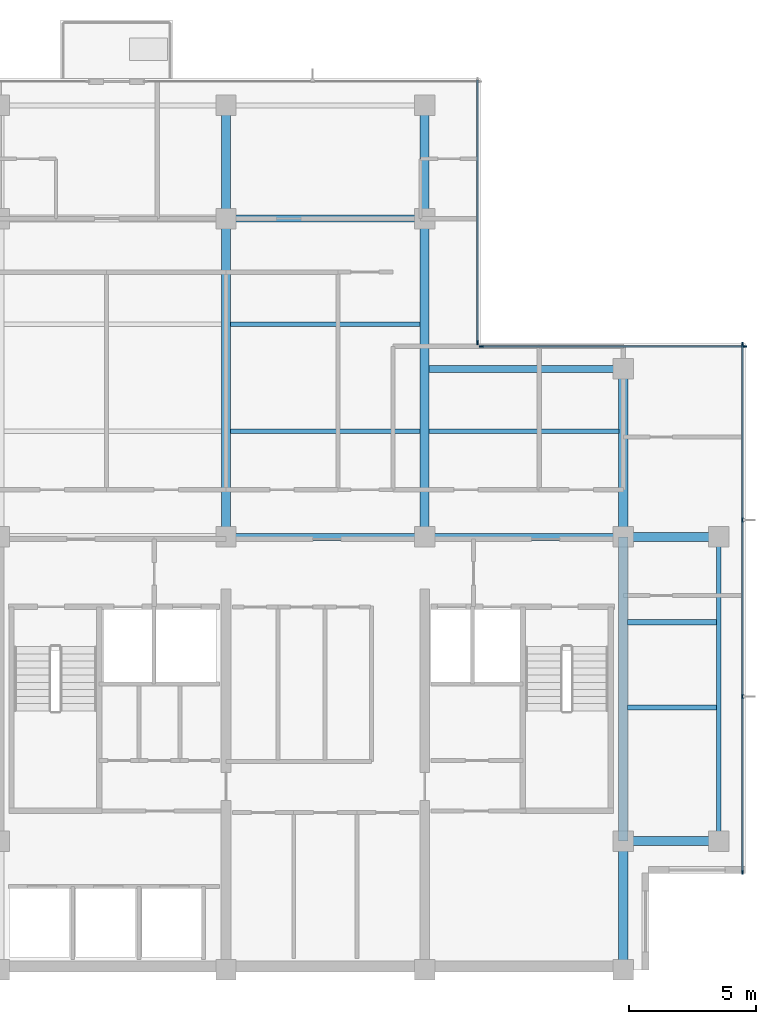
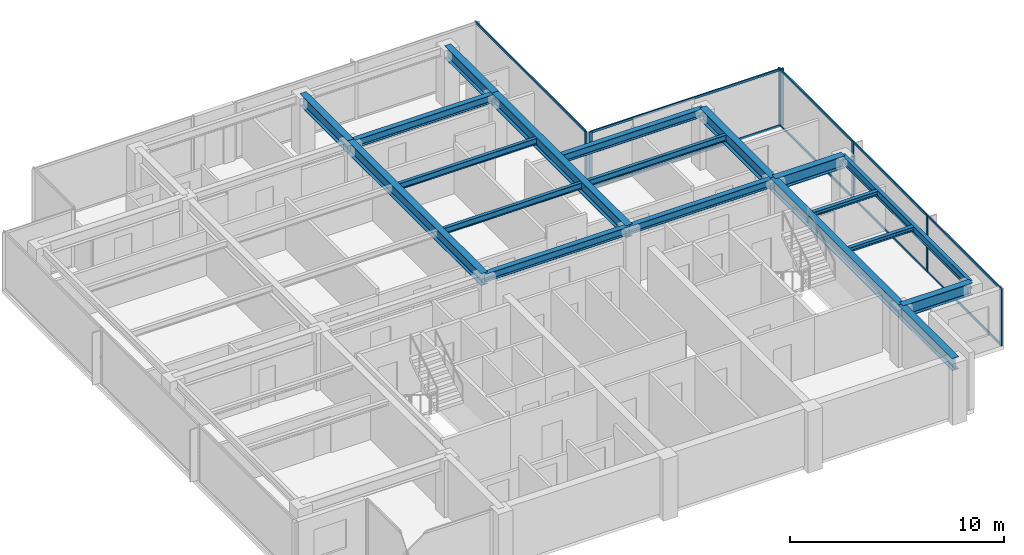
# One storey, part 3 of 11: 19 beams, 17 members, 3 elements without a shape of their own.
"""IFC4 building model written with IfcOpenShell, lengths in metres."""

from ifc_helpers import new_model, si_unit, direction, frame, origin, origin_2d, place, context, subcontext, project, spatial, rectangle, i_section, extrude, material, layer, layer_set, material_profile, profile_set, type_object, element, aggregate, save


model = new_model("IFC4")

# Units and contexts
model_context = context("Model", 3, precision=1e-05, world=origin(), true_north=direction((0.0, 1.0)))
body_context = subcontext(model_context, "Body", "Model", "MODEL_VIEW")
ifc_project = project(units=[si_unit("LENGTHUNIT", "METRE"), si_unit("AREAUNIT", "SQUARE_METRE"), si_unit("VOLUMEUNIT", "CUBIC_METRE"), si_unit("PLANEANGLEUNIT", "RADIAN"), si_unit("MASSUNIT", "GRAM", prefix="KILO")], contexts=[model_context])

# Site, building, storey
site_placement = place(None, origin())
site = spatial("IfcSite", under=ifc_project, at=site_placement, CompositionType="ELEMENT")
building_placement = place(site_placement, origin())
building = spatial("IfcBuilding", under=site, at=building_placement, Name="Qalmaran Belvedere Hotel", CompositionType="ELEMENT")
storey_placement = place(building_placement, frame((0.0, 0.0, 256.39990234375)))
storey = spatial("IfcBuildingStorey", under=building, at=storey_placement, Name="L66", CompositionType="ELEMENT", Elevation=256.39990234375)

# Beams
ifc_material_1 = material(Name="Steel S355JR", Category="steel")
ifc_material_profile_1 = material_profile(ifc_material_1, i_section(OverallWidth=0.201904296875, OverallDepth=0.2470703125, WebThickness=0.00732421875, FlangeThickness=0.010986328125, FilletRadius=0.011962890625, at=origin_2d()), Name="W250X49")
ifc_profile_set_1 = profile_set([ifc_material_profile_1], Name="Steel S355JR")
beam_type_1 = type_object("IfcBeamType", Name="BM-JST-W250X49", PredefinedType="JOIST", material=ifc_profile_set_1)
for number, where, z_axis, x_axis, name in (
    (1, (44.9755859375, 13.800048828125, 3.13671875), (1.0, 0.0, 0.0), (0.0, 1.0, 0.0), "L66 East Wing Joist 032"),
    (2, (44.9755859375, 17.14990234375, 3.13671875), (1.0, 0.0, 0.0), (0.0, 1.0, 0.0), "L66 East Wing Joist 034"),
):
    element("IfcBeam", number, at=place(storey_placement, frame(where, z_axis=z_axis, x_axis=x_axis)), inside=storey, type_object=beam_type_1, Name=name, PredefinedType="JOIST", context=body_context, shape_type="SweptSolid", body=[
        extrude(i_section(OverallWidth=0.201904296875, OverallDepth=0.2470703125, WebThickness=0.00732421875, FlangeThickness=0.010986328125, FilletRadius=0.011962890625, at=origin_2d()), origin(), (0.0, 0.0, 1.0), 3.48046875),
    ])
ifc_material_profile_2 = material_profile(ifc_material_1, i_section(OverallWidth=0.172119140625, OverallDepth=0.35791015625, WebThickness=0.0078125, FlangeThickness=0.01318359375, FilletRadius=0.014892578125, at=origin_2d()), Name="W360X57")
ifc_profile_set_2 = profile_set([ifc_material_profile_2], Name="Steel S355JR")
beam_type_2 = type_object("IfcBeamType", Name="BM-SB4-W360X57", PredefinedType="BEAM", material=ifc_profile_set_2)
for number, where, z_axis, x_axis, name in (
    (3, (29.37548828125, 24.64990234375, 3.0810546875), (1.0, 0.0, 0.0), (0.0, 1.0, 0.0), "L66 Secondary Floor Beam 026"),
    (4, (37.175537109375, 24.64990234375, 3.0810546875), (1.0, 0.0, 0.0), (0.0, 1.0, 0.0), "L66 Secondary Floor Beam 027"),
    (5, (29.37548828125, 28.85009765625, 3.0810546875), (1.0, 0.0, 0.0), (0.0, 1.0, 0.0), "L66 Secondary Floor Beam 030"),
):
    element("IfcBeam", number, at=place(storey_placement, frame(where, z_axis=z_axis, x_axis=x_axis)), inside=storey, type_object=beam_type_2, Name=name, PredefinedType="BEAM", context=body_context, shape_type="SweptSolid", body=[
        extrude(i_section(OverallWidth=0.172119140625, OverallDepth=0.35791015625, WebThickness=0.0078125, FlangeThickness=0.01318359375, FilletRadius=0.014892578125, at=origin_2d()), origin(), (0.0, 0.0, 1.0), 7.448974609375),
    ])
ifc_material_profile_3 = material_profile(ifc_material_1, i_section(OverallWidth=0.19189453125, OverallDepth=0.462890625, WebThickness=0.010498046875, FlangeThickness=0.017578125, FilletRadius=0.01611328125, at=origin_2d()), Name="W460X89")
ifc_profile_set_3 = profile_set([ifc_material_profile_3], Name="Steel S355JR")
beam_type_3 = type_object("IfcBeamType", Name="BM-SP2-W460X89", PredefinedType="SPANDREL", material=ifc_profile_set_3)
beam_1_placement = place(storey_placement, frame((48.550048828125, 8.550048828125, 3.028564453125), z_axis=(0.0, 1.0, 0.0), x_axis=(-1.0, 0.0, 0.0)))
element("IfcBeam", 6, at=beam_1_placement, inside=storey, type_object=beam_type_3, Name="L66 Perimeter Spandrel 03", PredefinedType="SPANDREL", context=body_context, shape_type="SweptSolid", body=[
    extrude(i_section(OverallWidth=0.19189453125, OverallDepth=0.462890625, WebThickness=0.010498046875, FlangeThickness=0.017578125, FilletRadius=0.01611328125, at=origin_2d()), origin(), (0.0, 0.0, 1.0), 11.949951171875),
])
ifc_material_profile_4 = material_profile(ifc_material_1, i_section(OverallWidth=0.35498046875, OverallDepth=0.695068359375, WebThickness=0.015380859375, FlangeThickness=0.02490234375, FilletRadius=0.02197265625, at=origin_2d()), Name="W690X217")
ifc_profile_set_4 = profile_set([ifc_material_profile_4], Name="Steel S355JR")
beam_type_4 = type_object("IfcBeamType", Name="BM-Z1-W690X217", PredefinedType="USERDEFINED", material=ifc_profile_set_4)
beam_2_placement = place(storey_placement, frame((29.199951171875, 20.5, 2.91259765625), z_axis=(0.0, 1.0, 0.0), x_axis=(-1.0, 0.0, 0.0)))
element("IfcBeam", 7, at=beam_2_placement, inside=storey, type_object=beam_type_4, Name="L66 Mid-Plate N-S Girder 13", ObjectType="GIRDER", PredefinedType="USERDEFINED", context=body_context, shape_type="SweptSolid", body=[
    extrude(i_section(OverallWidth=0.35498046875, OverallDepth=0.695068359375, WebThickness=0.015380859375, FlangeThickness=0.02490234375, FilletRadius=0.02197265625, at=origin_2d()), origin(), (0.0, 0.0, 1.0), 12.5),
])
beam_3_placement = place(storey_placement, frame((29.199951171875, 33.0, 2.91259765625), z_axis=(0.0, 1.0, 0.0), x_axis=(-1.0, 0.0, 0.0)))
element("IfcBeam", 8, at=beam_3_placement, inside=storey, type_object=beam_type_4, Name="L66 North Bay Girder 14", ObjectType="GIRDER", PredefinedType="USERDEFINED", context=body_context, shape_type="SweptSolid", body=[
    extrude(i_section(OverallWidth=0.35498046875, OverallDepth=0.695068359375, WebThickness=0.015380859375, FlangeThickness=0.02490234375, FilletRadius=0.02197265625, at=origin_2d()), origin(), (0.0, 0.0, 1.0), 4.449951171875),
])
beam_4_placement = place(storey_placement, frame((37.0, 20.5, 2.91259765625), z_axis=(0.0, 1.0, 0.0), x_axis=(-1.0, 0.0, 0.0)))
element("IfcBeam", 9, at=beam_4_placement, inside=storey, type_object=beam_type_4, Name="L66 Mid-Plate N-S Girder 15", ObjectType="GIRDER", PredefinedType="USERDEFINED", context=body_context, shape_type="SweptSolid", body=[
    extrude(i_section(OverallWidth=0.35498046875, OverallDepth=0.695068359375, WebThickness=0.015380859375, FlangeThickness=0.02490234375, FilletRadius=0.02197265625, at=origin_2d()), origin(), (0.0, 0.0, 1.0), 12.5),
])
beam_5_placement = place(storey_placement, frame((37.0, 33.0, 2.91259765625), z_axis=(0.0, 1.0, 0.0), x_axis=(-1.0, 0.0, 0.0)))
element("IfcBeam", 10, at=beam_5_placement, inside=storey, type_object=beam_type_4, Name="L66 North Bay Girder 16", ObjectType="GIRDER", PredefinedType="USERDEFINED", context=body_context, shape_type="SweptSolid", body=[
    extrude(i_section(OverallWidth=0.35498046875, OverallDepth=0.695068359375, WebThickness=0.015380859375, FlangeThickness=0.02490234375, FilletRadius=0.02197265625, at=origin_2d()), origin(), (0.0, 0.0, 1.0), 4.449951171875),
])
beam_6_placement = place(storey_placement, frame((44.800048828125, 20.5, 2.91259765625), z_axis=(0.0, 1.0, 0.0), x_axis=(-1.0, 0.0, 0.0)))
element("IfcBeam", 11, at=beam_6_placement, inside=storey, type_object=beam_type_4, Name="L66 Mid-Plate N-S Girder 17", ObjectType="GIRDER", PredefinedType="USERDEFINED", context=body_context, shape_type="SweptSolid", body=[
    extrude(i_section(OverallWidth=0.35498046875, OverallDepth=0.695068359375, WebThickness=0.015380859375, FlangeThickness=0.02490234375, FilletRadius=0.02197265625, at=origin_2d()), origin(), (0.0, 0.0, 1.0), 6.60009765625),
])
beam_7_placement = place(storey_placement, frame((44.800048828125, 3.5, 2.91259765625), z_axis=(0.0, 1.0, 0.0), x_axis=(-1.0, 0.0, 0.0)))
element("IfcBeam", 12, at=beam_7_placement, inside=storey, type_object=beam_type_4, Name="L66 East Core Edge Girder A", ObjectType="GIRDER", PredefinedType="USERDEFINED", context=body_context, shape_type="SweptSolid", body=[
    extrude(i_section(OverallWidth=0.35498046875, OverallDepth=0.695068359375, WebThickness=0.015380859375, FlangeThickness=0.02490234375, FilletRadius=0.02197265625, at=origin_2d()), origin(), (0.0, 0.0, 1.0), 5.050048828125),
])
beam_8_placement = place(storey_placement, frame((44.800048828125, 8.550048828125, 2.91259765625), z_axis=(0.0, 1.0, 0.0), x_axis=(-1.0, 0.0, 0.0)))
element("IfcBeam", 13, at=beam_8_placement, inside=storey, type_object=beam_type_4, Name="L66 East Core Edge Girder B", ObjectType="GIRDER", PredefinedType="USERDEFINED", context=body_context, shape_type="SweptSolid", body=[
    extrude(i_section(OverallWidth=0.35498046875, OverallDepth=0.695068359375, WebThickness=0.015380859375, FlangeThickness=0.02490234375, FilletRadius=0.02197265625, at=origin_2d()), origin(), (0.0, 0.0, 1.0), 11.949951171875),
])
for number, where, z_axis, x_axis, name in (
    (14, (44.800048828125, 8.550048828125, 2.91259765625), (1.0, 0.0, 0.0), (0.0, 1.0, 0.0), "L66 East Wing Girder 22"),
    (15, (44.800048828125, 20.5, 2.91259765625), (1.0, 0.0, 0.0), (0.0, 1.0, 0.0), "L66 East Wing Girder 23"),
):
    element("IfcBeam", number, at=place(storey_placement, frame(where, z_axis=z_axis, x_axis=x_axis)), inside=storey, type_object=beam_type_4, Name=name, ObjectType="GIRDER", PredefinedType="USERDEFINED", context=body_context, shape_type="SweptSolid", body=[
        extrude(i_section(OverallWidth=0.35498046875, OverallDepth=0.695068359375, WebThickness=0.015380859375, FlangeThickness=0.02490234375, FilletRadius=0.02197265625, at=origin_2d()), origin(), (0.0, 0.0, 1.0), 3.75),
    ])
ifc_material_profile_5 = material_profile(ifc_material_1, i_section(OverallWidth=0.280029296875, OverallDepth=0.462890625, WebThickness=0.0107421875, FlangeThickness=0.017333984375, FilletRadius=0.01611328125, at=origin_2d()), Name="W460X113")
ifc_profile_set_5 = profile_set([ifc_material_profile_5], Name="Steel S355JR")
beam_type_5 = type_object("IfcBeamType", Name="BM-Z5-W460X113", PredefinedType="USERDEFINED", material=ifc_profile_set_5)
for number, where, z_axis, x_axis, name in (
    (16, (29.199951171875, 20.5, 3.028564453125), (1.0, 0.0, 0.0), (0.0, 1.0, 0.0), "L66 Interior E-W Girder 07"),
    (17, (37.0, 20.5, 3.028564453125), (1.0, 0.0, 0.0), (0.0, 1.0, 0.0), "L66 Interior E-W Girder 08"),
    (18, (29.199951171875, 33.0, 3.028564453125), (1.0, 0.0, 0.0), (0.0, 1.0, 0.0), "L66 Interior E-W Girder 10"),
):
    element("IfcBeam", number, at=place(storey_placement, frame(where, z_axis=z_axis, x_axis=x_axis)), inside=storey, type_object=beam_type_5, Name=name, ObjectType="GIRDER", PredefinedType="USERDEFINED", context=body_context, shape_type="SweptSolid", body=[
        extrude(i_section(OverallWidth=0.280029296875, OverallDepth=0.462890625, WebThickness=0.0107421875, FlangeThickness=0.017333984375, FilletRadius=0.01611328125, at=origin_2d()), origin(), (0.0, 0.0, 1.0), 7.800048828125),
    ])
beam_9_placement = place(storey_placement, frame((37.175537109375, 27.10009765625, 3.028564453125), z_axis=(1.0, 0.0, 0.0), x_axis=(0.0, 1.0, 0.0)))
element("IfcBeam", 19, at=beam_9_placement, inside=storey, type_object=beam_type_5, Name="L66 North-East Notch Rim Girder", ObjectType="GIRDER", PredefinedType="USERDEFINED", context=body_context, shape_type="SweptSolid", body=[
    extrude(i_section(OverallWidth=0.280029296875, OverallDepth=0.462890625, WebThickness=0.0107421875, FlangeThickness=0.017333984375, FilletRadius=0.01611328125, at=origin_2d()), origin(), (0.0, 0.0, 1.0), 7.62451171875),
])

# Curtain wall, members
ifc_material_2 = material(Name="Anodised Bronze Aluminium", Category="aluminium")
ifc_layer = layer(ifc_material_2, 0.18505859375, Name="Anodised Bronze Aluminium")
ifc_layer_set = layer_set([ifc_layer], Name="Anodised Bronze Aluminium")
curtain_wall_type = type_object("IfcCurtainWallType", Name="CW6-TOWER-SKY", PredefinedType="NOTDEFINED", material=ifc_layer_set)
curtain_wall_1_placement = place(storey_placement, origin())
curtain_wall_1 = element("IfcCurtainWall", 20, at=curtain_wall_1_placement, inside=storey, type_object=curtain_wall_type, Name="L66 Curtain Wall CW6", PredefinedType="NOTDEFINED")
ifc_material_profile_6 = material_profile(ifc_material_2, rectangle(XDim=0.06494140625, YDim=0.1650390625, at=origin_2d()), Name="CWM65X165")
ifc_profile_set_6 = profile_set([ifc_material_profile_6], Name="Anodised Bronze Aluminium")
member_type_1 = type_object("IfcMemberType", Name="CWM-65X165", PredefinedType="MULLION", material=ifc_profile_set_6)
member_1_placement = place(storey_placement, frame((49.47998046875, 7.33251953125, 0.0), z_axis=(0.0, 0.0, 1.0), x_axis=(-1.0, 0.0, 0.0)))
member_1 = element("IfcMember", 21, at=member_1_placement, type_object=member_type_1, Name="CW6 mullion 1", PredefinedType="MULLION", context=body_context, shape_type="SweptSolid", body=[
    extrude(rectangle(XDim=0.06494140625, YDim=0.1650390625, at=origin_2d()), origin(), (0.0, 0.0, 1.0), 3.260009765625),
])
member_2_placement = place(storey_placement, frame((49.47998046875, 14.2333984375, 0.0), z_axis=(0.0, 0.0, 1.0), x_axis=(-1.0, 0.0, 0.0)))
member_2 = element("IfcMember", 22, at=member_2_placement, type_object=member_type_1, Name="CW6 mullion 2", PredefinedType="MULLION", context=body_context, shape_type="SweptSolid", body=[
    extrude(rectangle(XDim=0.06494140625, YDim=0.1650390625, at=origin_2d()), origin(), (0.0, 0.0, 1.0), 3.260009765625),
])
member_3_placement = place(storey_placement, frame((49.47998046875, 21.166748046875, 0.0), z_axis=(0.0, 0.0, 1.0), x_axis=(-1.0, 0.0, 0.0)))
member_3 = element("IfcMember", 23, at=member_3_placement, type_object=member_type_1, Name="CW6 mullion 3", PredefinedType="MULLION", context=body_context, shape_type="SweptSolid", body=[
    extrude(rectangle(XDim=0.06494140625, YDim=0.1650390625, at=origin_2d()), origin(), (0.0, 0.0, 1.0), 3.260009765625),
])
member_4_placement = place(storey_placement, frame((49.47998046875, 28.0673828125, 0.0), z_axis=(0.0, 0.0, 1.0), x_axis=(-1.0, 0.0, 0.0)))
member_4 = element("IfcMember", 24, at=member_4_placement, type_object=member_type_1, Name="CW6 mullion 4", PredefinedType="MULLION", context=body_context, shape_type="SweptSolid", body=[
    extrude(rectangle(XDim=0.06494140625, YDim=0.1650390625, at=origin_2d()), origin(), (0.0, 0.0, 1.0), 3.260009765625),
])

curtain_wall_2_placement = place(storey_placement, origin())
curtain_wall_2 = element("IfcCurtainWall", 25, at=curtain_wall_2_placement, inside=storey, type_object=curtain_wall_type, Name="L66 Curtain Wall CW6", PredefinedType="NOTDEFINED")
member_5_placement = place(storey_placement, frame((49.5673828125, 27.97998046875, 0.0), z_axis=(0.0, 0.0, 1.0), x_axis=(0.0, -1.0, 0.0)))
member_5 = element("IfcMember", 26, at=member_5_placement, type_object=member_type_1, Name="CW6 mullion 1", PredefinedType="MULLION", context=body_context, shape_type="SweptSolid", body=[
    extrude(rectangle(XDim=0.06494140625, YDim=0.1650390625, at=origin_2d()), origin(), (0.0, 0.0, 1.0), 3.260009765625),
])
member_6_placement = place(storey_placement, frame((39.232421875, 27.97998046875, 0.0), z_axis=(0.0, 0.0, 1.0), x_axis=(0.0, -1.0, 0.0)))
member_6 = element("IfcMember", 27, at=member_6_placement, type_object=member_type_1, Name="CW6 mullion 2", PredefinedType="MULLION", context=body_context, shape_type="SweptSolid", body=[
    extrude(rectangle(XDim=0.06494140625, YDim=0.1650390625, at=origin_2d()), origin(), (0.0, 0.0, 1.0), 3.260009765625),
])

# Curtain wall, member
curtain_wall_3_placement = place(storey_placement, origin())
curtain_wall_3 = element("IfcCurtainWall", 28, at=curtain_wall_3_placement, inside=storey, type_object=curtain_wall_type, Name="L66 Curtain Wall CW6", PredefinedType="NOTDEFINED")
member_7_placement = place(storey_placement, frame((39.080078125, 28.132568359375, 0.0), z_axis=(0.0, 0.0, 1.0), x_axis=(-1.0, 0.0, 0.0)))
member_7 = element("IfcMember", 29, at=member_7_placement, type_object=member_type_1, Name="CW6 mullion 1", PredefinedType="MULLION", context=body_context, shape_type="SweptSolid", body=[
    extrude(rectangle(XDim=0.06494140625, YDim=0.1650390625, at=origin_2d()), origin(), (0.0, 0.0, 1.0), 3.260009765625),
])

# Member
ifc_material_profile_7 = material_profile(ifc_material_2, rectangle(XDim=0.06494140625, YDim=0.1298828125, at=origin_2d()), Name="CWT65X130")
ifc_profile_set_7 = profile_set([ifc_material_profile_7], Name="Anodised Bronze Aluminium")
member_type_2 = type_object("IfcMemberType", Name="CWT-65X130", PredefinedType="USERDEFINED", material=ifc_profile_set_7)
member_8_placement = place(storey_placement, frame((49.47998046875, 7.364990234375, 0.03271484375), z_axis=(0.0, 1.0, 0.0), x_axis=(-1.0, 0.0, 0.0)))
member_8 = element("IfcMember", 30, at=member_8_placement, type_object=member_type_2, Name="CW6 transom 1.1", ObjectType="TRANSOM", PredefinedType="USERDEFINED", context=body_context, shape_type="SweptSolid", body=[
    extrude(rectangle(XDim=0.06494140625, YDim=0.1298828125, at=origin_2d()), origin(), (0.0, 0.0, 1.0), 6.8359375),
])

member_9_placement = place(storey_placement, frame((49.47998046875, 7.364990234375, 3.2275390625), z_axis=(0.0, 1.0, 0.0), x_axis=(-1.0, 0.0, 0.0)))
member_9 = element("IfcMember", 31, at=member_9_placement, type_object=member_type_2, Name="CW6 transom 1.2", ObjectType="TRANSOM", PredefinedType="USERDEFINED", context=body_context, shape_type="SweptSolid", body=[
    extrude(rectangle(XDim=0.06494140625, YDim=0.1298828125, at=origin_2d()), origin(), (0.0, 0.0, 1.0), 6.8359375),
])

member_10_placement = place(storey_placement, frame((49.47998046875, 14.265869140625, 0.03271484375), z_axis=(0.0, 1.0, 0.0), x_axis=(-1.0, 0.0, 0.0)))
member_10 = element("IfcMember", 32, at=member_10_placement, type_object=member_type_2, Name="CW6 transom 2.1", ObjectType="TRANSOM", PredefinedType="USERDEFINED", context=body_context, shape_type="SweptSolid", body=[
    extrude(rectangle(XDim=0.06494140625, YDim=0.1298828125, at=origin_2d()), origin(), (0.0, 0.0, 1.0), 6.868408203125),
])

member_11_placement = place(storey_placement, frame((49.47998046875, 14.265869140625, 3.2275390625), z_axis=(0.0, 1.0, 0.0), x_axis=(-1.0, 0.0, 0.0)))
member_11 = element("IfcMember", 33, at=member_11_placement, type_object=member_type_2, Name="CW6 transom 2.2", ObjectType="TRANSOM", PredefinedType="USERDEFINED", context=body_context, shape_type="SweptSolid", body=[
    extrude(rectangle(XDim=0.06494140625, YDim=0.1298828125, at=origin_2d()), origin(), (0.0, 0.0, 1.0), 6.868408203125),
])

member_12_placement = place(storey_placement, frame((49.47998046875, 21.19921875, 0.03271484375), z_axis=(0.0, 1.0, 0.0), x_axis=(-1.0, 0.0, 0.0)))
member_12 = element("IfcMember", 34, at=member_12_placement, type_object=member_type_2, Name="CW6 transom 3.1", ObjectType="TRANSOM", PredefinedType="USERDEFINED", context=body_context, shape_type="SweptSolid", body=[
    extrude(rectangle(XDim=0.06494140625, YDim=0.1298828125, at=origin_2d()), origin(), (0.0, 0.0, 1.0), 6.835693359375),
])

member_13_placement = place(storey_placement, frame((49.47998046875, 21.19921875, 3.2275390625), z_axis=(0.0, 1.0, 0.0), x_axis=(-1.0, 0.0, 0.0)))
member_13 = element("IfcMember", 35, at=member_13_placement, type_object=member_type_2, Name="CW6 transom 3.2", ObjectType="TRANSOM", PredefinedType="USERDEFINED", context=body_context, shape_type="SweptSolid", body=[
    extrude(rectangle(XDim=0.06494140625, YDim=0.1298828125, at=origin_2d()), origin(), (0.0, 0.0, 1.0), 6.835693359375),
])

aggregate(curtain_wall_1, [member_1, member_2, member_3, member_4, member_8, member_9, member_10, member_11, member_12, member_13])

member_14_placement = place(storey_placement, frame((49.534912109375, 27.97998046875, 0.03271484375), z_axis=(-1.0, 0.0, 0.0), x_axis=(0.0, -1.0, 0.0)))
member_14 = element("IfcMember", 36, at=member_14_placement, type_object=member_type_2, Name="CW6 transom 1.1", ObjectType="TRANSOM", PredefinedType="USERDEFINED", context=body_context, shape_type="SweptSolid", body=[
    extrude(rectangle(XDim=0.06494140625, YDim=0.1298828125, at=origin_2d()), origin(), (0.0, 0.0, 1.0), 10.27001953125),
])

member_15_placement = place(storey_placement, frame((49.534912109375, 27.97998046875, 3.2275390625), z_axis=(-1.0, 0.0, 0.0), x_axis=(0.0, -1.0, 0.0)))
member_15 = element("IfcMember", 37, at=member_15_placement, type_object=member_type_2, Name="CW6 transom 1.2", ObjectType="TRANSOM", PredefinedType="USERDEFINED", context=body_context, shape_type="SweptSolid", body=[
    extrude(rectangle(XDim=0.06494140625, YDim=0.1298828125, at=origin_2d()), origin(), (0.0, 0.0, 1.0), 10.27001953125),
])

aggregate(curtain_wall_2, [member_5, member_6, member_14, member_15])

member_16_placement = place(storey_placement, frame((39.080078125, 28.1650390625, 0.03271484375), z_axis=(0.0, 1.0, 0.0), x_axis=(-1.0, 0.0, 0.0)))
member_16 = element("IfcMember", 38, at=member_16_placement, type_object=member_type_2, Name="CW6 transom 1.1", ObjectType="TRANSOM", PredefinedType="USERDEFINED", context=body_context, shape_type="SweptSolid", body=[
    extrude(rectangle(XDim=0.06494140625, YDim=0.1298828125, at=origin_2d()), origin(), (0.0, 0.0, 1.0), 10.27001953125),
])

member_17_placement = place(storey_placement, frame((39.080078125, 28.1650390625, 3.2275390625), z_axis=(0.0, 1.0, 0.0), x_axis=(-1.0, 0.0, 0.0)))
member_17 = element("IfcMember", 39, at=member_17_placement, type_object=member_type_2, Name="CW6 transom 1.2", ObjectType="TRANSOM", PredefinedType="USERDEFINED", context=body_context, shape_type="SweptSolid", body=[
    extrude(rectangle(XDim=0.06494140625, YDim=0.1298828125, at=origin_2d()), origin(), (0.0, 0.0, 1.0), 10.27001953125),
])

aggregate(curtain_wall_3, [member_7, member_16, member_17])

save(model, "model.ifc")
